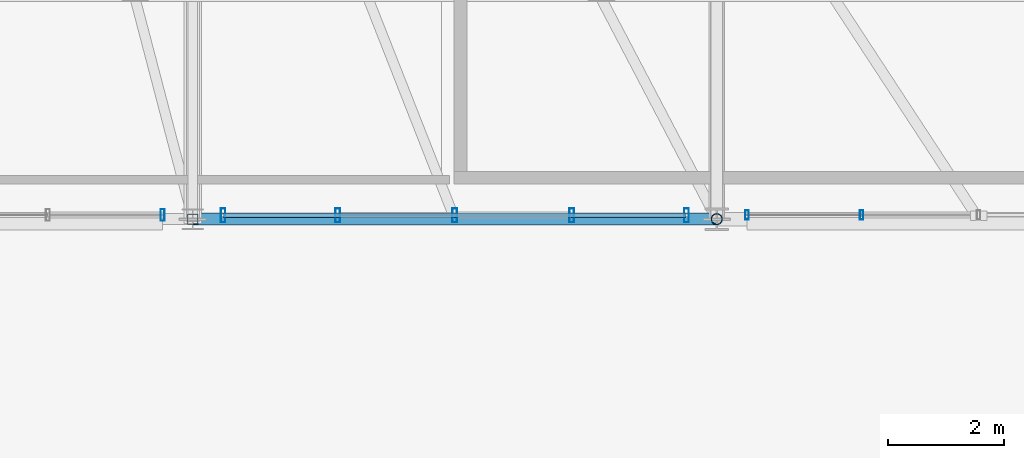
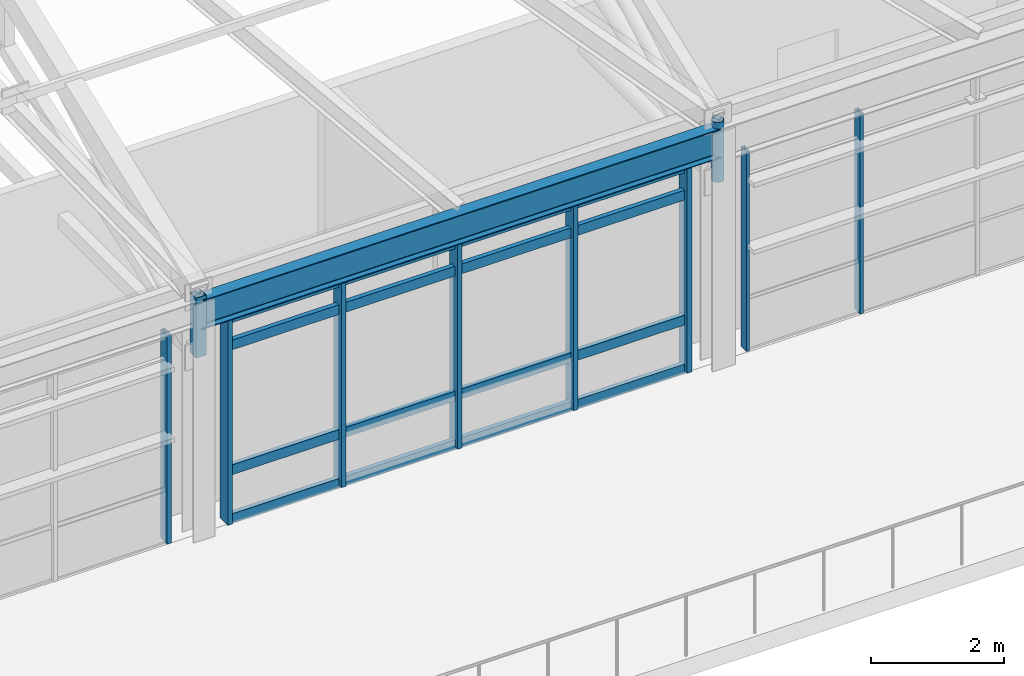
# One storey, part 33 of 168: 14 members, 1 beam, 3 elements without a shape of their own.
"""IFC4 building model written with IfcOpenShell, lengths in metres."""

from ifc_helpers import new_model, si_unit, direction, frame, origin, origin_2d, place, context, subcontext, project, spatial, hollow_rectangle, hollow_circle, i_section, extrude, material, material_profile, profile_set, type_object, element, aggregate, save


model = new_model("IFC4")

# Units and contexts
model_context = context("Model", 3, precision=1e-05, world=origin(), true_north=direction((0.0, 1.0)))
body_context = subcontext(model_context, "Body", "Model", "MODEL_VIEW")
ifc_project = project(units=[si_unit("LENGTHUNIT", "METRE"), si_unit("AREAUNIT", "SQUARE_METRE"), si_unit("VOLUMEUNIT", "CUBIC_METRE"), si_unit("PLANEANGLEUNIT", "RADIAN"), si_unit("MASSUNIT", "GRAM", prefix="KILO"), si_unit("THERMODYNAMICTEMPERATUREUNIT", "KELVIN"), si_unit("POWERUNIT", "WATT")], contexts=[model_context])

# Site, building, storey
site_placement = place(None, origin())
site = spatial("IfcSite", under=ifc_project, at=site_placement, CompositionType="ELEMENT")
building_placement = place(site_placement, origin())
building = spatial("IfcBuilding", under=site, at=building_placement, Name="Tepalcoro Natatorium and Aquatics Centre", CompositionType="ELEMENT")
storey_placement = place(building_placement, frame((0.0, 0.0, 10.199951171875)))
storey = spatial("IfcBuildingStorey", under=building, at=storey_placement, Name="L02", CompositionType="ELEMENT", Elevation=10.199951171875)

# Curtain wall, members
ifc_material_1 = material(Name="Bronze-Anodised Extruded Aluminium Alloy EN AW-6063 T6", Category="aluminium")
curtain_wall_type_1 = type_object("IfcCurtainWallType", Name="CW_LEAN_T1_EW", PredefinedType="USERDEFINED", material=ifc_material_1)
curtain_wall_1_placement = place(storey_placement, origin())
curtain_wall_1 = element("IfcCurtainWall", 1, at=curtain_wall_1_placement, inside=storey, type_object=curtain_wall_type_1, Name="V1 L02 S Unitised Curtain Wall Bay 7", ObjectType="FACETED SOLAR GLAZING", PredefinedType="USERDEFINED")
ifc_material_profile_1 = material_profile(ifc_material_1, hollow_rectangle(XDim=0.06005859375, YDim=0.159912109375, WallThickness=0.00390625, at=origin_2d()), Name="AL60X160X4")
ifc_profile_set_1 = profile_set([ifc_material_profile_1], Name="Bronze-Anodised Extruded Aluminium Alloy EN AW-6063 T6")
member_type_1 = type_object("IfcMemberType", Name="CW_MUL_60x160", PredefinedType="MULLION", material=ifc_profile_set_1)
member_1_placement = place(storey_placement, frame((107.52001953125, 13.0712890625, 0.02001953125), z_axis=(0.0, 0.0, 1.0), x_axis=(1.0, 0.0, 0.0)))
member_1 = element("IfcMember", 2, at=member_1_placement, type_object=member_type_1, Name="CW_LEAN_T1_EW Curtain Wall Mullion", PredefinedType="MULLION", context=body_context, shape_type="SweptSolid", body=[
    extrude(hollow_rectangle(XDim=0.06005859375, YDim=0.159912109375, WallThickness=0.00390625, at=origin_2d()), origin(), (0.0, 0.0, 1.0), 3.66796875),
])
member_2_placement = place(storey_placement, frame((109.489990234375, 13.0712890625, 0.02001953125), z_axis=(0.0, 0.0, 1.0), x_axis=(1.0, 0.0, 0.0)))
member_2 = element("IfcMember", 3, at=member_2_placement, type_object=member_type_1, Name="CW_LEAN_T1_EW Curtain Wall Mullion", PredefinedType="MULLION", context=body_context, shape_type="SweptSolid", body=[
    extrude(hollow_rectangle(XDim=0.06005859375, YDim=0.159912109375, WallThickness=0.00390625, at=origin_2d()), origin(), (0.0, 0.0, 1.0), 3.66796875),
])
aggregate(curtain_wall_1, [member_1, member_2])

# Curtain wall, member
curtain_wall_type_2 = type_object("IfcCurtainWallType", Name="CW_V5_UPPER", PredefinedType="USERDEFINED", material=ifc_material_1)
curtain_wall_2_placement = place(storey_placement, origin())
curtain_wall_2 = element("IfcCurtainWall", 4, at=curtain_wall_2_placement, inside=storey, type_object=curtain_wall_type_2, Name="V1 L02 S Unitised Curtain Wall Bay 5", ObjectType="FACETED SOLAR GLAZING", PredefinedType="USERDEFINED")
ifc_material_profile_2 = material_profile(ifc_material_1, hollow_rectangle(XDim=0.070068359375, YDim=0.199951171875, WallThickness=0.0048828125, at=origin_2d()), Name="AL70X200X5")
ifc_profile_set_2 = profile_set([ifc_material_profile_2], Name="Bronze-Anodised Extruded Aluminium Alloy EN AW-6063 T6")
member_type_2 = type_object("IfcMemberType", Name="CW_MUL_70x200", PredefinedType="MULLION", material=ifc_profile_set_2)
member_3_placement = place(storey_placement, frame((97.47998046875, 13.0712890625, 0.02001953125), z_axis=(0.0, 0.0, 1.0), x_axis=(1.0, 0.0, 0.0)))
member_3 = element("IfcMember", 5, at=member_3_placement, type_object=member_type_2, Name="CW_V5_UPPER Curtain Wall Mullion", PredefinedType="MULLION", context=body_context, shape_type="SweptSolid", body=[
    extrude(hollow_rectangle(XDim=0.070068359375, YDim=0.199951171875, WallThickness=0.0048828125, at=origin_2d()), origin(), (0.0, 0.0, 1.0), 3.820068359375),
])
aggregate(curtain_wall_2, [member_3])

# Curtain wall, members
curtain_wall_type_3 = type_object("IfcCurtainWallType", Name="CW_LEAN_T1_NS", PredefinedType="USERDEFINED", material=ifc_material_1)
curtain_wall_3_placement = place(storey_placement, origin())
curtain_wall_3 = element("IfcCurtainWall", 6, at=curtain_wall_3_placement, inside=storey, type_object=curtain_wall_type_3, Name="V1 L02 S Unitised Curtain Wall Bay 6", ObjectType="FACETED SOLAR GLAZING", PredefinedType="USERDEFINED")
ifc_material_profile_3 = material_profile(ifc_material_1, hollow_rectangle(XDim=0.080078125, YDim=0.239990234375, WallThickness=0.0048828125, at=origin_2d()), Name="AL80X240X5")
ifc_profile_set_3 = profile_set([ifc_material_profile_3], Name="Bronze-Anodised Extruded Aluminium Alloy EN AW-6063 T6")
member_type_3 = type_object("IfcMemberType", Name="CW_MUL_80x240", PredefinedType="MULLION", material=ifc_profile_set_3)
member_4_placement = place(storey_placement, frame((98.52001953125, 13.06494140625, 0.02001953125), z_axis=(0.0, 0.0, 1.0), x_axis=(1.0, 0.0, 0.0)))
member_4 = element("IfcMember", 7, at=member_4_placement, type_object=member_type_3, Name="CW_LEAN_T1_NS Curtain Wall Mullion", PredefinedType="MULLION", context=body_context, shape_type="SweptSolid", body=[
    extrude(hollow_rectangle(XDim=0.080078125, YDim=0.239990234375, WallThickness=0.0048828125, at=origin_2d()), origin(), (0.0, 0.0, 1.0), 3.744140625),
])
member_5_placement = place(storey_placement, frame((100.489990234375, 13.06494140625, 0.02001953125), z_axis=(0.0, 0.0, 1.0), x_axis=(1.0, 0.0, 0.0)))
member_5 = element("IfcMember", 8, at=member_5_placement, type_object=member_type_3, Name="CW_LEAN_T1_NS Curtain Wall Mullion", PredefinedType="MULLION", context=body_context, shape_type="SweptSolid", body=[
    extrude(hollow_rectangle(XDim=0.080078125, YDim=0.239990234375, WallThickness=0.0048828125, at=origin_2d()), origin(), (0.0, 0.0, 1.0), 3.744140625),
])
member_6_placement = place(storey_placement, frame((102.5, 13.06494140625, 0.02001953125), z_axis=(0.0, 0.0, 1.0), x_axis=(1.0, 0.0, 0.0)))
member_6 = element("IfcMember", 9, at=member_6_placement, type_object=member_type_3, Name="CW_LEAN_T1_NS Curtain Wall Mullion", PredefinedType="MULLION", context=body_context, shape_type="SweptSolid", body=[
    extrude(hollow_rectangle(XDim=0.080078125, YDim=0.239990234375, WallThickness=0.0048828125, at=origin_2d()), origin(), (0.0, 0.0, 1.0), 3.744140625),
])
member_7_placement = place(storey_placement, frame((104.510009765625, 13.06494140625, 0.02001953125), z_axis=(0.0, 0.0, 1.0), x_axis=(1.0, 0.0, 0.0)))
member_7 = element("IfcMember", 10, at=member_7_placement, type_object=member_type_3, Name="CW_LEAN_T1_NS Curtain Wall Mullion", PredefinedType="MULLION", context=body_context, shape_type="SweptSolid", body=[
    extrude(hollow_rectangle(XDim=0.080078125, YDim=0.239990234375, WallThickness=0.0048828125, at=origin_2d()), origin(), (0.0, 0.0, 1.0), 3.744140625),
])
member_8_placement = place(storey_placement, frame((106.47998046875, 13.06494140625, 0.02001953125), z_axis=(0.0, 0.0, 1.0), x_axis=(1.0, 0.0, 0.0)))
member_8 = element("IfcMember", 11, at=member_8_placement, type_object=member_type_3, Name="CW_LEAN_T1_NS Curtain Wall Mullion", PredefinedType="MULLION", context=body_context, shape_type="SweptSolid", body=[
    extrude(hollow_rectangle(XDim=0.080078125, YDim=0.239990234375, WallThickness=0.0048828125, at=origin_2d()), origin(), (0.0, 0.0, 1.0), 3.744140625),
])
ifc_material_profile_4 = material_profile(ifc_material_1, hollow_rectangle(XDim=0.080078125, YDim=0.179931640625, WallThickness=0.0048828125, at=origin_2d()), Name="AL80X180X5")
ifc_profile_set_4 = profile_set([ifc_material_profile_4], Name="Bronze-Anodised Extruded Aluminium Alloy EN AW-6063 T6")
member_type_4 = type_object("IfcMemberType", Name="CW_TRN_80x180", PredefinedType="USERDEFINED", material=ifc_profile_set_4)
member_9_placement = place(storey_placement, frame((98.530029296875, 13.06494140625, 0.050048828125), z_axis=(1.0, 0.0, 0.0), x_axis=(0.0, 1.0, 0.0)))
member_9 = element("IfcMember", 12, at=member_9_placement, type_object=member_type_4, Name="CW_LEAN_T1_NS Curtain Wall Transom", ObjectType="TRANSOM", PredefinedType="USERDEFINED", context=body_context, shape_type="SweptSolid", body=[
    extrude(hollow_rectangle(XDim=0.080078125, YDim=0.179931640625, WallThickness=0.0048828125, at=origin_2d()), origin(), (0.0, 0.0, 1.0), 7.93994140625),
])
member_10_placement = place(storey_placement, frame((98.530029296875, 13.06494140625, 0.946044921875), z_axis=(1.0, 0.0, 0.0), x_axis=(0.0, 1.0, 0.0)))
member_10 = element("IfcMember", 13, at=member_10_placement, type_object=member_type_4, Name="CW_LEAN_T1_NS Curtain Wall Transom", ObjectType="TRANSOM", PredefinedType="USERDEFINED", context=body_context, shape_type="SweptSolid", body=[
    extrude(hollow_rectangle(XDim=0.080078125, YDim=0.179931640625, WallThickness=0.0048828125, at=origin_2d()), origin(), (0.0, 0.0, 1.0), 7.93994140625),
])
member_11_placement = place(storey_placement, frame((98.530029296875, 13.06494140625, 3.234130859375), z_axis=(1.0, 0.0, 0.0), x_axis=(0.0, 1.0, 0.0)))
member_11 = element("IfcMember", 14, at=member_11_placement, type_object=member_type_4, Name="CW_LEAN_T1_NS Curtain Wall Transom", ObjectType="TRANSOM", PredefinedType="USERDEFINED", context=body_context, shape_type="SweptSolid", body=[
    extrude(hollow_rectangle(XDim=0.080078125, YDim=0.179931640625, WallThickness=0.0048828125, at=origin_2d()), origin(), (0.0, 0.0, 1.0), 7.93994140625),
])
member_12_placement = place(storey_placement, frame((98.530029296875, 13.06494140625, 3.734130859375), z_axis=(1.0, 0.0, 0.0), x_axis=(0.0, 1.0, 0.0)))
member_12 = element("IfcMember", 15, at=member_12_placement, type_object=member_type_4, Name="CW_LEAN_T1_NS Curtain Wall Transom", ObjectType="TRANSOM", PredefinedType="USERDEFINED", context=body_context, shape_type="SweptSolid", body=[
    extrude(hollow_rectangle(XDim=0.080078125, YDim=0.179931640625, WallThickness=0.0048828125, at=origin_2d()), origin(), (0.0, 0.0, 1.0), 7.93994140625),
])
aggregate(curtain_wall_3, [member_4, member_5, member_6, member_7, member_8, member_9, member_10, member_11, member_12])

# Members
ifc_material_2 = material(Name="Terracotta Painted Hollow Steel ASTM A500 Grade C (Fy 345 MPa)", Category="masonry")
ifc_material_profile_5 = material_profile(ifc_material_2, hollow_circle(Radius=0.096923828125, WallThickness=0.010009765625, at=origin_2d()), Name="CHS194X10")
ifc_profile_set_5 = profile_set([ifc_material_profile_5], Name="Terracotta Painted Hollow Steel ASTM A500 Grade C (Fy 345 MPa)")
member_type_5 = type_object("IfcMemberType", Name="MB_PS_CHS194x10", PredefinedType="POST", material=ifc_profile_set_5)
member_13_placement = place(storey_placement, frame((107.0, 13.0, 3.35009765625), z_axis=(0.0, 0.0, 1.0), x_axis=(1.0, 0.0, 0.0)))
element("IfcMember", 16, at=member_13_placement, inside=storey, type_object=member_type_5, Name="V1 Arched Truss Vertical Post 7", PredefinedType="POST", context=body_context, shape_type="SweptSolid", body=[
    extrude(hollow_circle(Radius=0.096923828125, WallThickness=0.010009765625, at=origin_2d()), origin(), (0.0, 0.0, 1.0), 1.099853515625),
])
ifc_material_profile_6 = material_profile(ifc_material_2, hollow_rectangle(XDim=0.179931640625, YDim=0.179931640625, WallThickness=0.010009765625, at=origin_2d()), Name="HSS180X180X10")
ifc_profile_set_6 = profile_set([ifc_material_profile_6], Name="Terracotta Painted Hollow Steel ASTM A500 Grade C (Fy 345 MPa)")
member_type_6 = type_object("IfcMemberType", Name="MB_PS_HSS180x180x10", PredefinedType="POST", material=ifc_profile_set_6)
member_14_placement = place(storey_placement, frame((98.0, 13.0, 3.300048828125), z_axis=(0.0, 0.0, 1.0), x_axis=(1.0, 0.0, 0.0)))
element("IfcMember", 17, at=member_14_placement, inside=storey, type_object=member_type_6, Name="V1 Arched Truss Vertical Post 6", PredefinedType="POST", context=body_context, shape_type="SweptSolid", body=[
    extrude(hollow_rectangle(XDim=0.179931640625, YDim=0.179931640625, WallThickness=0.010009765625, at=origin_2d()), origin(), (0.0, 0.0, 1.0), 1.10009765625),
])

# Beam
ifc_material_3 = material(Name="Steel ASTM A992 Grade 50 (Fy 345 MPa)", Category="steel")
ifc_material_profile_7 = material_profile(ifc_material_3, i_section(OverallWidth=0.2099609375, OverallDepth=0.535888671875, WebThickness=0.010986328125, FlangeThickness=0.01708984375, FilletRadius=0.013916015625, at=origin_2d()), Name="W21X68")
ifc_profile_set_7 = profile_set([ifc_material_profile_7], Name="Steel ASTM A992 Grade 50 (Fy 345 MPa)")
beam_type = type_object("IfcBeamType", Name="SP_W21x68", PredefinedType="SPANDREL", material=ifc_profile_set_7)
beam_placement = place(storey_placement, frame((98.0, 13.0, 4.067138671875), z_axis=(1.0, 0.0, 0.0), x_axis=(0.0, 1.0, 0.0)))
element("IfcBeam", 18, at=beam_placement, inside=storey, type_object=beam_type, Name="V1 L02 Grid Girder X", PredefinedType="SPANDREL", context=body_context, shape_type="SweptSolid", body=[
    extrude(i_section(OverallWidth=0.2099609375, OverallDepth=0.535888671875, WebThickness=0.010986328125, FlangeThickness=0.01708984375, FilletRadius=0.013916015625, at=origin_2d()), origin(), (0.0, 0.0, 1.0), 9.0),
])

save(model, "model.ifc")
